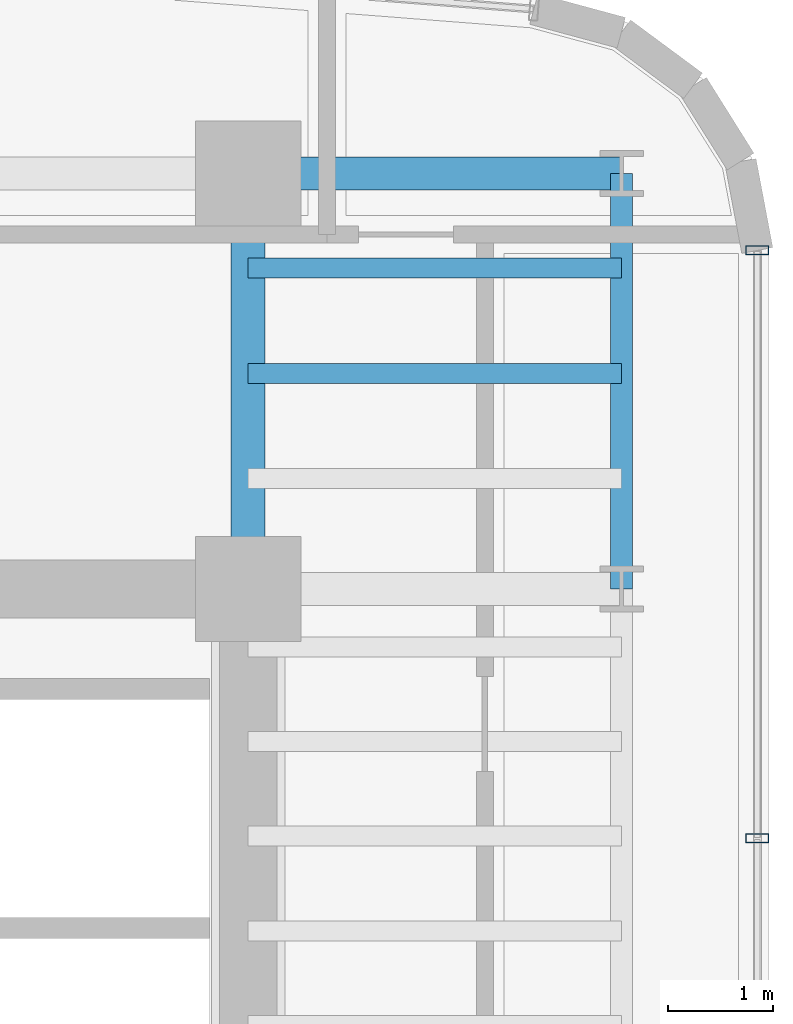
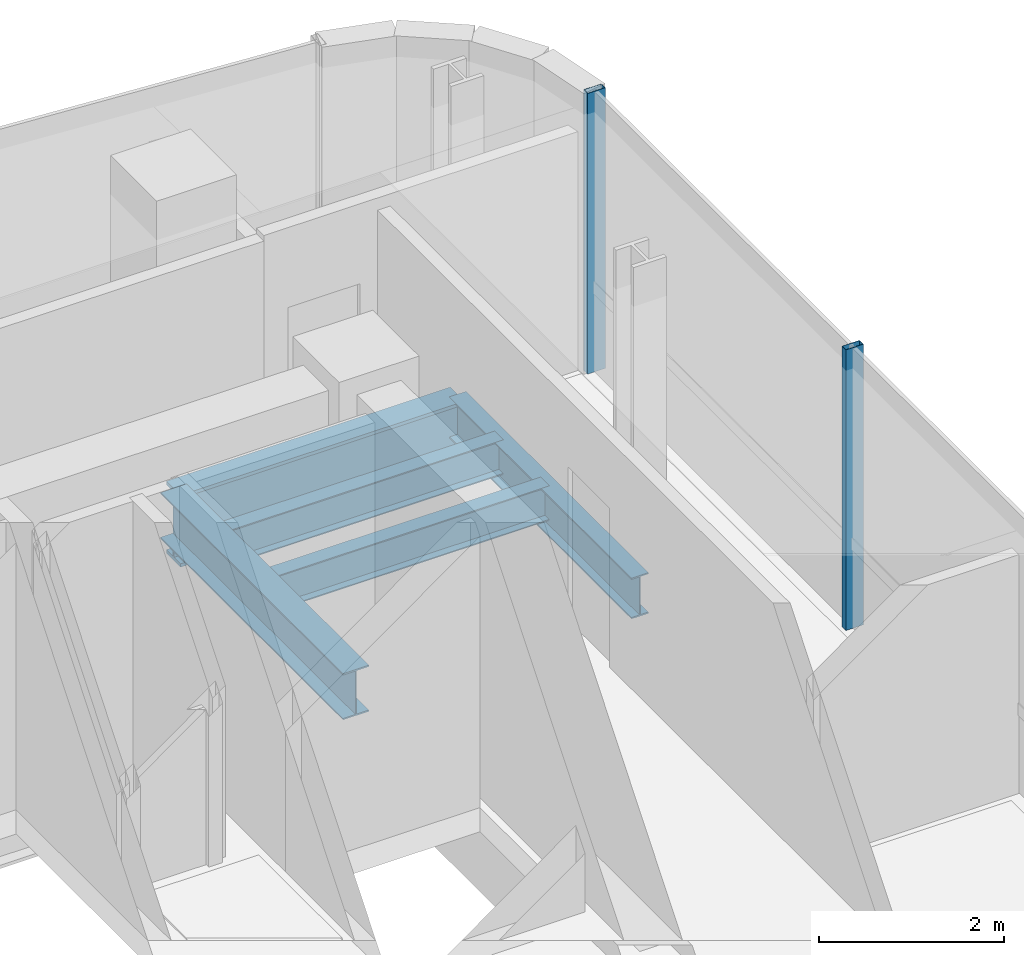
# One storey, part 17 of 35: 5 beams, 2 members, 1 element without a shape of its own.
"""IFC4 building model written with IfcOpenShell, lengths in metres."""

from ifc_helpers import new_model, si_unit, direction, frame, origin, origin_2d, place, context, subcontext, project, spatial, hollow_rectangle, i_section, extrude, source, transform, mapped, material, material_profile, profile_set, type_object, element, aggregate, save


model = new_model("IFC4")

# Units and contexts
model_context = context("Model", 3, precision=1e-05, world=origin(), true_north=direction((0.0, 1.0)))
body_context = subcontext(model_context, "Body", "Model", "MODEL_VIEW")
ifc_project = project(units=[si_unit("LENGTHUNIT", "METRE"), si_unit("AREAUNIT", "SQUARE_METRE"), si_unit("VOLUMEUNIT", "CUBIC_METRE"), si_unit("PLANEANGLEUNIT", "RADIAN"), si_unit("MASSUNIT", "GRAM", prefix="KILO")], contexts=[model_context])

# Site, building, storey
site_placement = place(None, origin())
site = spatial("IfcSite", under=ifc_project, at=site_placement, CompositionType="ELEMENT")
building_placement = place(site_placement, origin())
building = spatial("IfcBuilding", under=site, at=building_placement, Name="Valdorenza Pilgrim Sanctuary Tower", CompositionType="ELEMENT")
storey_placement = place(building_placement, frame((0.0, 0.0, 192.35009765625)))
storey = spatial("IfcBuildingStorey", under=building, at=storey_placement, Name="L49", CompositionType="ELEMENT", Elevation=192.35009765625)

# Beams
ifc_material_1 = material(Name="Steel ASTM A992 Grade 50", Category="steel")
ifc_material_profile_1 = material_profile(ifc_material_1, i_section(OverallWidth=0.323974609375, OverallDepth=0.611083984375, WebThickness=0.0126953125, FlangeThickness=0.01904296875, at=origin_2d()), Name="W24X104")
ifc_profile_set_1 = profile_set([ifc_material_profile_1], Name="Steel ASTM A992 Grade 50")
beam_type_1 = type_object("IfcBeamType", Name="STR-BM-GRD-W24B", PredefinedType="BEAM", material=ifc_profile_set_1)
shared_shape_1 = source(origin(), body_context, "Body", "SweptSolid", [
    extrude(i_section(OverallWidth=0.323974609375, OverallDepth=0.611083984375, WebThickness=0.0126953125, FlangeThickness=0.01904296875, at=origin_2d()), origin(), (0.0, 0.0, 1.0), 3.949951171875),
])
beam_1_placement = place(storey_placement, frame((24.85009765625, 9.550048828125, -0.62548828125), z_axis=(0.0, 1.0, 0.0), x_axis=(-1.0, 0.0, 0.0)))
element("IfcBeam", 1, at=beam_1_placement, inside=storey, type_object=beam_type_1, Name="L49 Core Tie Girder CB-E-N1N2", PredefinedType="BEAM", context=body_context, shape_type="MappedRepresentation", body=[
    mapped(shared_shape_1, transform((0.0, 0.0, 0.0), x_axis=(1.0, 0.0, 0.0), y_axis=(0.0, 1.0, 0.0), z_axis=(0.0, 0.0, 1.0), scale=1.0)),
])
ifc_material_profile_2 = material_profile(ifc_material_1, i_section(OverallWidth=0.19091796875, OverallDepth=0.45703125, WebThickness=0.009033203125, FlangeThickness=0.014404296875, at=origin_2d()), Name="W18X50")
ifc_profile_set_2 = profile_set([ifc_material_profile_2], Name="Steel ASTM A992 Grade 50")
beam_type_2 = type_object("IfcBeamType", Name="STR-BM-JST-W18B", PredefinedType="JOIST", material=ifc_profile_set_2)
shared_shape_2 = source(origin(), body_context, "Body", "SweptSolid", [
    extrude(i_section(OverallWidth=0.19091796875, OverallDepth=0.45703125, WebThickness=0.009033203125, FlangeThickness=0.014404296875, at=origin_2d()), origin(), (0.0, 0.0, 1.0), 3.5498046875),
])
for number, where, z_axis, x_axis, name in (
    (2, (24.85009765625, 11.60009765625, -0.548583984375), (1.0, 0.0, 0.0), (0.0, 1.0, 0.0), "L49 Composite Floor Joist JST-WB-20"),
    (3, (24.85009765625, 12.60009765625, -0.548583984375), (1.0, 0.0, 0.0), (0.0, 1.0, 0.0), "L49 Composite Floor Joist JST-WB-21"),
):
    element("IfcBeam", number, at=place(storey_placement, frame(where, z_axis=z_axis, x_axis=x_axis)), inside=storey, type_object=beam_type_2, Name=name, PredefinedType="JOIST", context=body_context, shape_type="MappedRepresentation", body=[
        mapped(shared_shape_2, transform((0.0, 0.0, 0.0), x_axis=(1.0, 0.0, 0.0), y_axis=(0.0, 1.0, 0.0), z_axis=(0.0, 0.0, 1.0), scale=1.0)),
    ])
ifc_material_profile_3 = material_profile(ifc_material_1, i_section(OverallWidth=0.2109375, OverallDepth=0.5390625, WebThickness=0.01171875, FlangeThickness=0.018798828125, at=origin_2d()), Name="W21X73")
ifc_profile_set_3 = profile_set([ifc_material_profile_3], Name="Steel ASTM A992 Grade 50")
beam_type_3 = type_object("IfcBeamType", Name="STR-BM-SPN-W21B", PredefinedType="SPANDREL", material=ifc_profile_set_3)
shared_shape_3 = source(origin(), body_context, "Body", "SweptSolid", [
    extrude(i_section(OverallWidth=0.2109375, OverallDepth=0.5390625, WebThickness=0.01171875, FlangeThickness=0.018798828125, at=origin_2d()), origin(), (0.0, 0.0, 1.0), 3.949951171875),
])
beam_2_placement = place(storey_placement, frame((28.39990234375, 9.550048828125, -0.589599609375), z_axis=(0.0, 1.0, 0.0), x_axis=(-1.0, 0.0, 0.0)))
element("IfcBeam", 4, at=beam_2_placement, inside=storey, type_object=beam_type_3, Name="L49 Spandrel Beam WB-E-N1N2", PredefinedType="SPANDREL", context=body_context, shape_type="MappedRepresentation", body=[
    mapped(shared_shape_3, transform((0.0, 0.0, 0.0), x_axis=(1.0, 0.0, 0.0), y_axis=(0.0, 1.0, 0.0), z_axis=(0.0, 0.0, 1.0), scale=1.0)),
])
ifc_material_profile_4 = material_profile(ifc_material_1, i_section(OverallWidth=0.31005859375, OverallDepth=0.949951171875, WebThickness=0.0244140625, FlangeThickness=0.0439453125, at=origin_2d()), Name="W36X256")
ifc_profile_set_4 = profile_set([ifc_material_profile_4], Name="Steel ASTM A992 Grade 50")
beam_type_4 = type_object("IfcBeamType", Name="STR-BM-GRD-W36B", PredefinedType="BEAM", material=ifc_profile_set_4)
shared_shape_4 = source(origin(), body_context, "Body", "SweptSolid", [
    extrude(i_section(OverallWidth=0.31005859375, OverallDepth=0.949951171875, WebThickness=0.0244140625, FlangeThickness=0.0439453125, at=origin_2d()), origin(), (0.0, 0.0, 1.0), 3.5498046875),
])
beam_3_placement = place(storey_placement, frame((24.85009765625, 13.5, -0.795166015625), z_axis=(1.0, 0.0, 0.0), x_axis=(0.0, 1.0, 0.0)))
element("IfcBeam", 5, at=beam_3_placement, inside=storey, type_object=beam_type_4, Name="L49 Floor Girder WB-XE-N2", PredefinedType="BEAM", context=body_context, shape_type="MappedRepresentation", body=[
    mapped(shared_shape_4, transform((0.0, 0.0, 0.0), x_axis=(1.0, 0.0, 0.0), y_axis=(0.0, 1.0, 0.0), z_axis=(0.0, 0.0, 1.0), scale=1.0)),
])

# Curtain wall, members
ifc_material_2 = material(Name="Curtain-wall IGU glazing", Category="glass")
curtain_wall_type = type_object("IfcCurtainWallType", Name="CW-SYS-03", PredefinedType="NOTDEFINED", material=ifc_material_2)
curtain_wall_placement = place(storey_placement, origin())
curtain_wall = element("IfcCurtainWall", 6, at=curtain_wall_placement, inside=storey, type_object=curtain_wall_type, Name="L49 Curtain Wall CW-L49-1-37", PredefinedType="NOTDEFINED")
ifc_material_3 = material(Name="Anodised aluminium AW-6060", Category="aluminium")
ifc_material_profile_5 = material_profile(ifc_material_3, hollow_rectangle(XDim=0.0849609375, YDim=0.219970703125, WallThickness=0.0048828125, at=origin_2d()), Name="ALU-M 220x85x5")
ifc_profile_set_5 = profile_set([ifc_material_profile_5], Name="Anodised aluminium AW-6060")
member_type = type_object("IfcMemberType", Name="CW-MUL-03", PredefinedType="MULLION", material=ifc_profile_set_5)
shared_shape_5 = source(origin(), body_context, "Body", "SweptSolid", [
    extrude(hollow_rectangle(XDim=0.0849609375, YDim=0.219970703125, WallThickness=0.0048828125, at=origin_2d()), origin(), (0.0, 0.0, 1.0), 3.7099609375),
])
member_1_placement = place(storey_placement, frame((29.68994140625, 12.768310546875, 0.0), z_axis=(0.0, 0.0, 1.0), x_axis=(0.0, -1.0, 0.0)))
member_1 = element("IfcMember", 7, at=member_1_placement, type_object=member_type, Name="CW-L49-1-37 Mullion 1", PredefinedType="MULLION", context=body_context, shape_type="MappedRepresentation", body=[
    mapped(shared_shape_5, transform((0.0, 0.0, 0.0), x_axis=(1.0, 0.0, 0.0), y_axis=(0.0, 1.0, 0.0), z_axis=(0.0, 0.0, 1.0), scale=1.0)),
])
member_2_placement = place(storey_placement, frame((29.68994140625, 7.178955078125, 0.0), z_axis=(0.0, 0.0, 1.0), x_axis=(0.0, -1.0, 0.0)))
member_2 = element("IfcMember", 8, at=member_2_placement, type_object=member_type, Name="CW-L49-1-37 Mullion 2", PredefinedType="MULLION", context=body_context, shape_type="MappedRepresentation", body=[
    mapped(shared_shape_5, transform((0.0, 0.0, 0.0), x_axis=(1.0, 0.0, 0.0), y_axis=(0.0, 1.0, 0.0), z_axis=(0.0, 0.0, 1.0), scale=1.0)),
])
aggregate(curtain_wall, [member_1, member_2])

save(model, "model.ifc")
